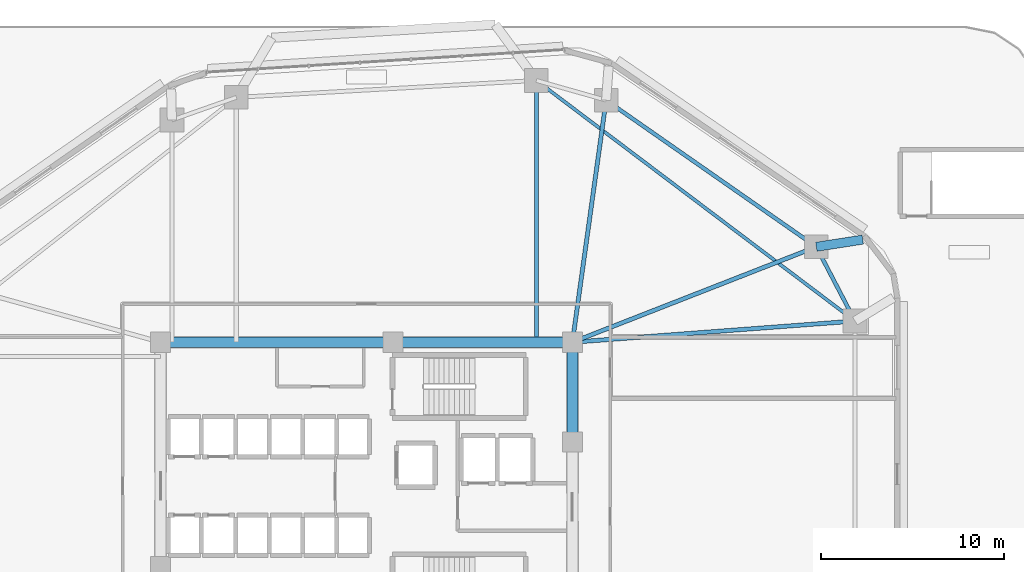
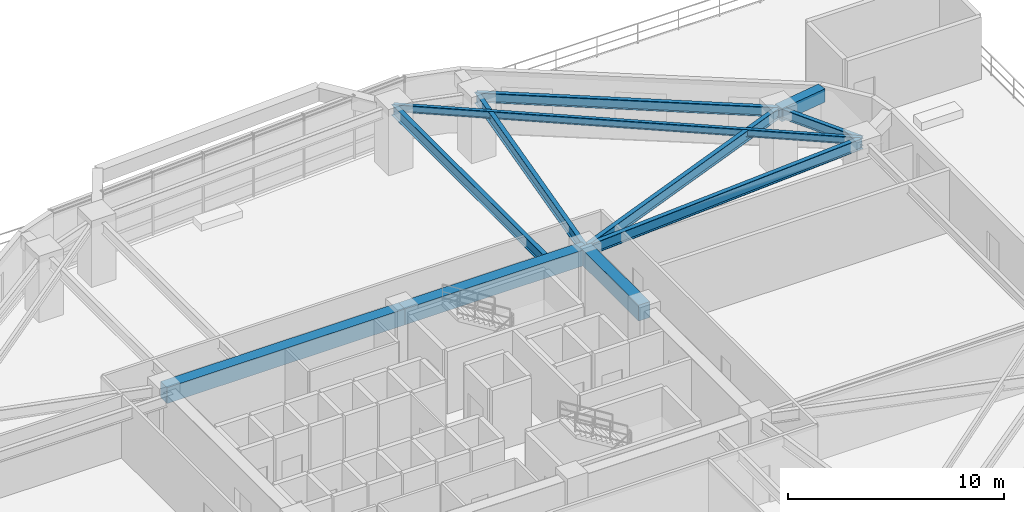
# One storey, part 9 of 20: 11 beams.
"""IFC4 building model written with IfcOpenShell, lengths in metres."""

import ifcopenshell
import ifcopenshell.guid

model = None  # the IFC model being written
_history = None  # IfcOwnerHistory: only IFC2X3 demands one
_inside = {}  # id of a spatial element -> (the spatial element, [elements in it])
_under = {}  # id of a project, library or spatial element -> (it, [spatial elements below it])
_declared = {}  # id of a project -> (the project, [libraries it declares])
_typed = {}  # id of a type object -> (the type object, [elements of that type])
_made_of = {}  # id of a material, layer set ... -> (it, [elements and type objects made of it])


def new_model(schema):
    """Start an empty IFC model of exactly this schema.

    Asked for "IFC4X3", IfcOpenShell would pick the latest addendum, in which some entities
    have other attributes; the version numbers below select the first issue.
    IFC2X3 requires an IfcOwnerHistory on every rooted entity: one is made here for all.
    """
    global model, _history
    if schema == "IFC4X3":
        model = ifcopenshell.file(schema_version=(4, 3, 0, 0))
    else:
        model = ifcopenshell.file(schema=schema)
    _inside.clear()
    _under.clear()
    _declared.clear()
    _typed.clear()
    _made_of.clear()
    _history = None
    if model.schema == "IFC2X3":
        org = make("IfcOrganization", Name="unknown")
        user = make(
            "IfcPersonAndOrganization",
            ThePerson=make("IfcPerson", FamilyName="unknown"),
            TheOrganization=org,
        )
        app = make(
            "IfcApplication",
            ApplicationDeveloper=org,
            Version="unknown",
            ApplicationFullName="unknown",
            ApplicationIdentifier="unknown",
        )
        _history = make(
            "IfcOwnerHistory",
            OwningUser=user,
            OwningApplication=app,
            ChangeAction="ADDED",
            CreationDate=0,
        )
    return model


def make(cls, **values):
    """One entity of the class cls with the attributes given. An attribute that is None is left unset."""
    return model.create_entity(
        cls, **{name: value for name, value in values.items() if value is not None}
    )


def rooted(cls, **values):
    """An entity with a GlobalId (a new one), such as an element, a storey or a relation."""
    return make(cls, GlobalId=ifcopenshell.guid.new(), OwnerHistory=_history, **values)


def si_unit(unit_type, name, prefix=None):
    """IfcSIUnit, for example si_unit("LENGTHUNIT", "METRE", prefix="MILLI")."""
    return make("IfcSIUnit", UnitType=unit_type, Prefix=prefix, Name=name)


def assignment(units):
    """IfcUnitAssignment: the units of a project."""
    return None if units is None else make("IfcUnitAssignment", Units=units)


def point(xyz):
    """IfcCartesianPoint."""
    return None if xyz is None else make("IfcCartesianPoint", Coordinates=xyz)


def direction(xyz):
    """IfcDirection."""
    return None if xyz is None else make("IfcDirection", DirectionRatios=xyz)


def frame(location, z_axis=None, x_axis=None):
    """IfcAxis2Placement3D, a coordinate frame: its origin and axes. An axis left out is left unset."""
    return make(
        "IfcAxis2Placement3D",
        Location=point(location),
        Axis=direction(z_axis),
        RefDirection=direction(x_axis),
    )


def frame_2d(location, x_axis=None):
    """IfcAxis2Placement2D, a coordinate frame in the plane: its origin and x axis."""
    return make(
        "IfcAxis2Placement2D", Location=point(location), RefDirection=direction(x_axis)
    )


def origin():
    """The frame at (0, 0, 0) with its axes left unset."""
    return frame((0.0, 0.0, 0.0))


def origin_2d():
    """The frame at (0, 0) in the plane with its x axis left unset."""
    return frame_2d((0.0, 0.0))


def place(relative_to, where):
    """IfcLocalPlacement: puts the frame where relative to a parent placement (None: the world)."""
    return make(
        "IfcLocalPlacement", PlacementRelTo=relative_to, RelativePlacement=where
    )


def context(
    kind, dimensions, precision=None, world=None, true_north=None, identifier=None
):
    """IfcGeometricRepresentationContext, for example the 3D "Model" context."""
    return make(
        "IfcGeometricRepresentationContext",
        ContextIdentifier=identifier,
        ContextType=kind,
        CoordinateSpaceDimension=dimensions,
        Precision=precision,
        WorldCoordinateSystem=world,
        TrueNorth=true_north,
    )


def subcontext(parent, identifier, kind, view, scale=None):
    """IfcGeometricRepresentationSubContext, for example "Body" below "Model"."""
    return make(
        "IfcGeometricRepresentationSubContext",
        ContextIdentifier=identifier,
        ContextType=kind,
        ParentContext=parent,
        TargetScale=scale,
        TargetView=view,
    )


def project(units=None, contexts=None):
    """IfcProject with its units and contexts."""
    return rooted(
        "IfcProject",
        Name="project",
        RepresentationContexts=contexts,
        UnitsInContext=assignment(units),
    )


def spatial(cls, under=None, at=None, **own):
    """A site, building, storey or space (cls), placed at a placement, below another one or the project."""
    s = rooted(cls, ObjectPlacement=at, **own)
    if under is not None:
        _under.setdefault(under.id(), (under, []))[1].append(s)
    return s


def profile(cls, at=None, kind="AREA", **sizes):
    """A parametric profile (cls). Its sizes go by their IFC names, for example OverallWidth=200.0."""
    return make(cls, ProfileType=kind, Position=at, **sizes)


def rectangle(**sizes):
    """IfcRectangleProfileDef."""
    return profile("IfcRectangleProfileDef", **sizes)


def i_section(**sizes):
    """IfcIShapeProfileDef."""
    return profile("IfcIShapeProfileDef", **sizes)


def extrude(swept, where, along, depth):
    """IfcExtrudedAreaSolid: the profile swept, set in the frame where, extruded along a direction by depth."""
    return make(
        "IfcExtrudedAreaSolid",
        SweptArea=swept,
        Position=where,
        ExtrudedDirection=direction(along),
        Depth=depth,
    )


def shape(context_of_items, identifier, shape_type, items):
    """IfcShapeRepresentation: the items that make up one representation, for example the "Body"."""
    return make(
        "IfcShapeRepresentation",
        ContextOfItems=context_of_items,
        RepresentationIdentifier=identifier,
        RepresentationType=shape_type,
        Items=items,
    )


def material(Name=None, Category=None):
    """IfcMaterial."""
    return make("IfcMaterial", Name=Name, Category=Category)


def material_profile(
    of_material, cross_section, Name=None, Category=None, Priority=None
):
    """IfcMaterialProfile: a cross section and its material."""
    return make(
        "IfcMaterialProfile",
        Name=Name,
        Material=of_material,
        Profile=cross_section,
        Priority=Priority,
        Category=Category,
    )


def profile_set(profiles, Name=None, composite=None):
    """IfcMaterialProfileSet."""
    return make(
        "IfcMaterialProfileSet",
        Name=Name,
        MaterialProfiles=profiles,
        CompositeProfile=composite,
    )


def made_of(thing, what):
    """Note that an element or type object is made of a material, layer set ...; save() writes the relation."""
    if what is not None:
        _made_of.setdefault(what.id(), (what, []))[1].append(thing)
    return thing


def type_object(cls, material=None, **own):
    """A type object (cls), such as IfcWallType, which elements share."""
    return made_of(rooted(cls, **own), material)


def element(
    cls,
    number,
    at=None,
    inside=None,
    cuts=None,
    type_object=None,
    material=None,
    context=None,
    identifier="Body",
    shape_type=None,
    held_by="IfcProductDefinitionShape",
    body=None,
    shapes=None,
    **own,
):
    """One element of the class cls, such as IfcWall. Its Tag is "e" and its number.

    at: its placement. inside: the storey or other place that contains it. cuts: it is an
    opening in that element (IfcRelVoidsElement). A single representation is given by context,
    identifier, shape_type and body (its items); several are given by shapes. held_by: the class
    of the entity that holds the representations. save() writes the other relations.
    """
    e = rooted(cls, Tag="e%d" % number, ObjectPlacement=at, **own)
    if body is not None:
        shapes = [shape(context, identifier, shape_type, body)]
    if shapes is not None:
        e.Representation = make(held_by, Representations=shapes)
    if inside is not None:
        _inside.setdefault(inside.id(), (inside, []))[1].append(e)
    if cuts is not None:
        rooted(
            "IfcRelVoidsElement", RelatingBuildingElement=cuts, RelatedOpeningElement=e
        )
    if type_object is not None:
        _typed.setdefault(type_object.id(), (type_object, []))[1].append(e)
    return made_of(e, material)


def aggregate(whole, parts):
    """IfcRelAggregates: a whole, such as a stair, and the parts it consists of."""
    return rooted("IfcRelAggregates", RelatingObject=whole, RelatedObjects=parts)


def save(model, path):
    """Write the relations noted so far, then the file.

    IfcRelAggregates (storeys below a building ...), IfcRelContainedInSpatialStructure (elements
    in a storey), IfcRelDefinesByType, IfcRelAssociatesMaterial and IfcRelDeclares: one each for
    every whole, place, type object, material and project.
    """
    for whole, parts in _under.values():
        aggregate(whole, parts)
    for where, things in _inside.values():
        rooted(
            "IfcRelContainedInSpatialStructure",
            RelatedElements=things,
            RelatingStructure=where,
        )
    for kind, things in _typed.values():
        rooted("IfcRelDefinesByType", RelatedObjects=things, RelatingType=kind)
    for what, things in _made_of.values():
        rooted("IfcRelAssociatesMaterial", RelatedObjects=things, RelatingMaterial=what)
    for by, libraries in _declared.values():
        rooted("IfcRelDeclares", RelatingContext=by, RelatedDefinitions=libraries)
    model.write(path)


model = new_model("IFC4")

# Units and contexts
model_context = context("Model", 3, precision=1e-05, world=origin(), true_north=direction((0.0, 1.0)))
body_context = subcontext(model_context, "Body", "Model", "MODEL_VIEW")
ifc_project = project(units=[si_unit("LENGTHUNIT", "METRE"), si_unit("AREAUNIT", "SQUARE_METRE"), si_unit("VOLUMEUNIT", "CUBIC_METRE"), si_unit("PLANEANGLEUNIT", "RADIAN"), si_unit("MASSUNIT", "GRAM", prefix="KILO")], contexts=[model_context])

# Site, building, storey
site_placement = place(None, origin())
site = spatial("IfcSite", under=ifc_project, at=site_placement, CompositionType="ELEMENT")
building_placement = place(site_placement, origin())
building = spatial("IfcBuilding", under=site, at=building_placement, Name="Zulverin Broadcast Headquarters", CompositionType="ELEMENT")
storey_placement = place(building_placement, frame((0.0, 0.0, 25.0)))
storey = spatial("IfcBuildingStorey", under=building, at=storey_placement, Name="L05", CompositionType="ELEMENT", Elevation=25.0)

# Beams
ifc_material_1 = material(Name="Concrete C60/75", Category="concrete")
ifc_material_profile_1 = material_profile(ifc_material_1, rectangle(XDim=0.60009765625, YDim=0.89990234375, at=origin_2d()), Name="Concrete C60/75", Category="concrete")
ifc_profile_set_1 = profile_set([ifc_material_profile_1], Name="Concrete C60/75")
beam_type_1 = type_object("IfcBeamType", Name="BM-CB-600x900", PredefinedType="LINTEL", material=ifc_profile_set_1)
beam_1_placement = place(storey_placement, frame((48.27490234375, 27.6201171875, 3.074951171875), z_axis=(0.0, 1.0, 0.0), x_axis=(-1.0, 0.0, 0.0)))
element("IfcBeam", 1, at=beam_1_placement, inside=storey, type_object=beam_type_1, Name="L05 Core Coupling Girder K04-K05", PredefinedType="LINTEL", context=body_context, shape_type="SweptSolid", body=[
    extrude(rectangle(XDim=0.60009765625, YDim=0.89990234375, at=origin_2d()), origin(), (0.0, 0.0, 1.0), 5.454833984375),
])
beam_2_placement = place(storey_placement, frame((48.27490234375, 33.074951171875, 3.074951171875), z_axis=(-1.0, 0.0, 0.0), x_axis=(0.0, -1.0, 0.0)))
element("IfcBeam", 2, at=beam_2_placement, inside=storey, type_object=beam_type_1, Name="L05 Core Coupling Girder K05-K06", PredefinedType="LINTEL", context=body_context, shape_type="SweptSolid", body=[
    extrude(rectangle(XDim=0.60009765625, YDim=0.89990234375, at=origin_2d()), origin(), (0.0, 0.0, 1.0), 9.824951171875),
])
beam_3_placement = place(storey_placement, frame((38.449951171875, 33.074951171875, 3.074951171875), z_axis=(-1.0, 0.0, 0.0), x_axis=(0.0, -1.0, 0.0)))
element("IfcBeam", 3, at=beam_3_placement, inside=storey, type_object=beam_type_1, Name="L05 Core Coupling Girder K06-K07", PredefinedType="LINTEL", context=body_context, shape_type="SweptSolid", body=[
    extrude(rectangle(XDim=0.60009765625, YDim=0.89990234375, at=origin_2d()), origin(), (0.0, 0.0, 1.0), 12.724853515625),
])
ifc_material_2 = material(Name="Concrete C40/50", Category="concrete")
ifc_material_profile_2 = material_profile(ifc_material_2, rectangle(XDim=0.5, YDim=0.75, at=origin_2d()), Name="Concrete C40/50", Category="concrete")
ifc_profile_set_2 = profile_set([ifc_material_profile_2], Name="Concrete C40/50")
beam_type_2 = type_object("IfcBeamType", Name="BM-RC-500x750", PredefinedType="BEAM", material=ifc_profile_set_2)
beam_4_placement = place(storey_placement, frame((61.630126953125, 38.298583984375, 3.14990234375), z_axis=(0.988133444256, 0.153597839639, 0.0), x_axis=(-0.153597839639, 0.988133444256, 0.0)))
element("IfcBeam", 4, at=beam_4_placement, inside=storey, type_object=beam_type_2, Name="L06 Plate Overhang Back-Spanned Beam OVR-07", PredefinedType="BEAM", context=body_context, shape_type="SweptSolid", body=[
    extrude(rectangle(XDim=0.5, YDim=0.75, at=origin_2d()), origin(), (0.0, 0.0, 1.0), 2.57177734375),
])
ifc_material_3 = material(Name="Structural steel S355JR", Category="steel")
ifc_material_profile_3 = material_profile(ifc_material_3, i_section(OverallWidth=0.179443359375, OverallDepth=0.412841796875, WebThickness=0.009521484375, FlangeThickness=0.01611328125, at=origin_2d()), Name="Structural steel S355JR", Category="steel")
ifc_profile_set_3 = profile_set([ifc_material_profile_3], Name="Structural steel S355JR")
beam_type_3 = type_object("IfcBeamType", Name="BM-UB-406", PredefinedType="JOIST", material=ifc_profile_set_3)
beam_5_placement = place(storey_placement, frame((63.75, 34.235107421875, 3.318603515625), z_axis=(-0.798058136838, 0.602580459546, 0.0), x_axis=(-0.602580459546, -0.798058136838, 0.0)))
element("IfcBeam", 5, at=beam_5_placement, inside=storey, type_object=beam_type_3, Name="L05 Chordal Floor Joist J-02", PredefinedType="JOIST", context=body_context, shape_type="SweptSolid", body=[
    extrude(i_section(OverallWidth=0.179443359375, OverallDepth=0.412841796875, WebThickness=0.009521484375, FlangeThickness=0.01611328125, at=origin_2d()), origin(), (0.0, 0.0, 1.0), 21.86279296875),
])
ifc_material_profile_4 = material_profile(ifc_material_3, i_section(OverallWidth=0.2119140625, OverallDepth=0.54443359375, WebThickness=0.0126953125, FlangeThickness=0.021240234375, at=origin_2d()), Name="Structural steel S355JR", Category="steel")
ifc_profile_set_4 = profile_set([ifc_material_profile_4], Name="Structural steel S355JR")
beam_type_4 = type_object("IfcBeamType", Name="BM-UB-533", PredefinedType="SPANDREL", material=ifc_profile_set_4)
beam_6_placement = place(storey_placement, frame((63.75, 34.235107421875, 3.252685546875), z_axis=(-0.462531417359, 0.886602891917, 0.0), x_axis=(-0.886602891917, -0.462531417359, 0.0)))
element("IfcBeam", 6, at=beam_6_placement, inside=storey, type_object=beam_type_4, Name="L05 Perimeter Spandrel Beam SP-06", PredefinedType="SPANDREL", context=body_context, shape_type="SweptSolid", body=[
    extrude(i_section(OverallWidth=0.2119140625, OverallDepth=0.54443359375, WebThickness=0.0126953125, FlangeThickness=0.021240234375, at=origin_2d()), origin(), (0.0, 0.0, 1.0), 4.583251953125),
])
beam_7_placement = place(storey_placement, frame((61.630126953125, 38.298583984375, 3.252685546875), z_axis=(-0.820183915206, 0.5720999434, 0.0), x_axis=(-0.5720999434, -0.820183915206, 0.0)))
element("IfcBeam", 7, at=beam_7_placement, inside=storey, type_object=beam_type_4, Name="L05 Perimeter Spandrel Beam SP-07", PredefinedType="SPANDREL", context=body_context, shape_type="SweptSolid", body=[
    extrude(i_section(OverallWidth=0.2119140625, OverallDepth=0.54443359375, WebThickness=0.0126953125, FlangeThickness=0.021240234375, at=origin_2d()), origin(), (0.0, 0.0, 1.0), 14.03125),
])
ifc_material_profile_5 = material_profile(ifc_material_3, i_section(OverallWidth=0.230224609375, OverallDepth=0.6171875, WebThickness=0.01318359375, FlangeThickness=0.022216796875, at=origin_2d()), Name="Structural steel S355JR", Category="steel")
ifc_profile_set_5 = profile_set([ifc_material_profile_5], Name="Structural steel S355JR")
beam_type_5 = type_object("IfcBeamType", Name="BM-UB-610", PredefinedType="BEAM", material=ifc_profile_set_5)
beam_8_placement = place(storey_placement, frame((48.27490234375, 33.074951171875, 3.21630859375), z_axis=(0.997201597387, 0.074759442003, 0.0), x_axis=(-0.074759442003, 0.997201597387, 0.0)))
element("IfcBeam", 8, at=beam_8_placement, inside=storey, type_object=beam_type_5, Name="L05 Radial Primary Floor Beam RB-06", PredefinedType="BEAM", context=body_context, shape_type="SweptSolid", body=[
    extrude(i_section(OverallWidth=0.230224609375, OverallDepth=0.6171875, WebThickness=0.01318359375, FlangeThickness=0.022216796875, at=origin_2d()), origin(), (0.0, 0.0, 1.0), 15.5185546875),
])
beam_9_placement = place(storey_placement, frame((48.27490234375, 33.074951171875, 3.21630859375), z_axis=(0.931297778153, 0.364258765723, 0.0), x_axis=(-0.364258765723, 0.931297778153, 0.0)))
element("IfcBeam", 9, at=beam_9_placement, inside=storey, type_object=beam_type_5, Name="L05 Radial Primary Floor Beam RB-07", PredefinedType="BEAM", context=body_context, shape_type="SweptSolid", body=[
    extrude(i_section(OverallWidth=0.230224609375, OverallDepth=0.6171875, WebThickness=0.01318359375, FlangeThickness=0.022216796875, at=origin_2d()), origin(), (0.0, 0.0, 1.0), 14.34033203125),
])
beam_10_placement = place(storey_placement, frame((48.27490234375, 33.074951171875, 3.21630859375), z_axis=(0.138045758193, 0.990425852169, 0.0), x_axis=(-0.990425852169, 0.138045758193, 0.0)))
element("IfcBeam", 10, at=beam_10_placement, inside=storey, type_object=beam_type_5, Name="L05 Radial Primary Floor Beam RB-08", PredefinedType="BEAM", context=body_context, shape_type="SweptSolid", body=[
    extrude(i_section(OverallWidth=0.230224609375, OverallDepth=0.6171875, WebThickness=0.01318359375, FlangeThickness=0.022216796875, at=origin_2d()), origin(), (0.0, 0.0, 1.0), 13.379150390625),
])
beam_11_placement = place(storey_placement, frame((46.30224609375, 33.074951171875, 3.21630859375), z_axis=(0.0, 1.0, 0.0), x_axis=(-1.0, 0.0, 0.0)))
element("IfcBeam", 11, at=beam_11_placement, inside=storey, type_object=beam_type_5, Name="L05 Radial Primary Floor Beam RB-09", PredefinedType="BEAM", context=body_context, shape_type="SweptSolid", body=[
    extrude(i_section(OverallWidth=0.230224609375, OverallDepth=0.6171875, WebThickness=0.01318359375, FlangeThickness=0.022216796875, at=origin_2d()), origin(), (0.0, 0.0, 1.0), 14.334228515625),
])

save(model, "model.ifc")
